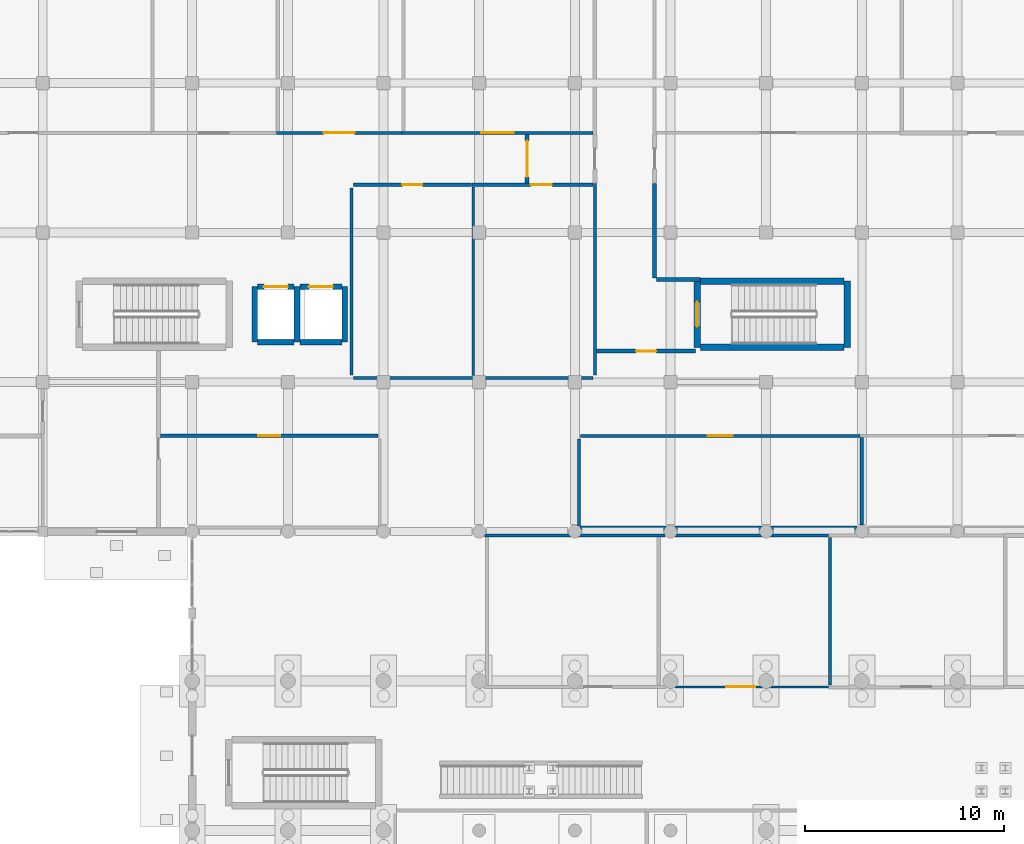
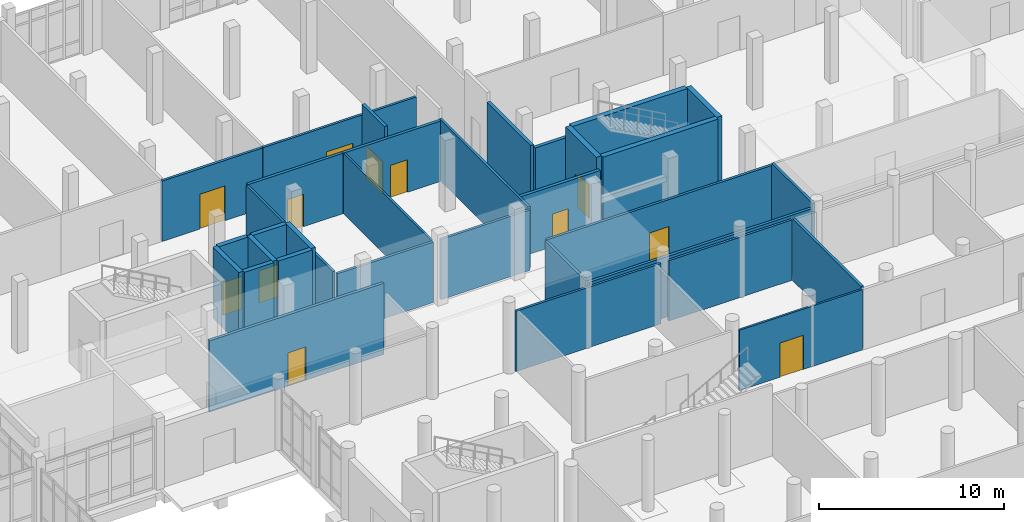
# One storey, part 155 of 173: 33 walls, 12 doors, 12 openings.
"""IFC4 building model written with IfcOpenShell, lengths in metres."""

from ifc_helpers import new_model, si_unit, direction, frame, frame_2d, origin, place, context, subcontext, project, spatial, rectangle, extrude, material, layer, layer_set, type_object, element, fill, save


model = new_model("IFC4")

# Units and contexts
model_context = context("Model", 3, precision=1e-05, world=origin(), true_north=direction((0.0, 1.0)))
body_context = subcontext(model_context, "Body", "Model", "MODEL_VIEW")
ifc_project = project(units=[si_unit("LENGTHUNIT", "METRE"), si_unit("AREAUNIT", "SQUARE_METRE"), si_unit("VOLUMEUNIT", "CUBIC_METRE"), si_unit("PLANEANGLEUNIT", "RADIAN"), si_unit("MASSUNIT", "GRAM", prefix="KILO")], contexts=[model_context])

# Site, building, storey
site_placement = place(None, origin())
site = spatial("IfcSite", under=ifc_project, at=site_placement, CompositionType="ELEMENT")
building_placement = place(site_placement, origin())
building = spatial("IfcBuilding", under=site, at=building_placement, Name="Mawjan Specialist Oncology Clinic", CompositionType="ELEMENT")
storey_placement = place(building_placement, origin())
storey = spatial("IfcBuildingStorey", under=building, at=storey_placement, Name="L00", CompositionType="ELEMENT", Elevation=0.0)

# Walls
ifc_material_1 = material(Name="Concrete C45/55", Category="concrete")
ifc_layer_1 = layer(ifc_material_1, 0.280029296875, Name="Concrete C45/55", Category="concrete")
ifc_layer_set_1 = layer_set([ifc_layer_1], Name="Concrete C45/55")
wall_type_1 = type_object("IfcWallType", Name="SW-300", PredefinedType="SHEAR", material=ifc_layer_set_1)
wall_1_placement = place(storey_placement, frame((63.2861328125, 85.306640625, 0.0), z_axis=(0.0, 0.0, 1.0), x_axis=(1.0, 0.0, 0.0)))
element("IfcWall", 1, at=wall_1_placement, inside=storey, type_object=wall_type_1, Name="L00 LF-05 Hoistway Wall 1", PredefinedType="SHEAR", context=body_context, shape_type="SweptSolid", body=[
    extrude(rectangle(XDim=1.827880859375, YDim=0.280029296875, at=frame_2d((0.9140625, 0.0))), origin(), (0.0, 0.0, 1.0), 4.699951171875),
])
wall_2_placement = place(storey_placement, frame((65.259033203125, 85.306640625, 0.0), z_axis=(0.0, 0.0, 1.0), x_axis=(0.0, 1.0, 0.0)))
element("IfcWall", 2, at=wall_2_placement, inside=storey, type_object=wall_type_1, Name="L00 LF-05 Hoistway Wall 2", PredefinedType="SHEAR", context=body_context, shape_type="SweptSolid", body=[
    extrude(rectangle(XDim=2.78662109375, YDim=0.280029296875, at=frame_2d((1.393310546875, 0.0))), origin(), (0.0, 0.0, 1.0), 4.699951171875),
])

# Wall, opening, door
wall_3_placement = place(storey_placement, frame((65.114013671875, 88.09326171875, 0.0), z_axis=(0.0, 0.0, 1.0), x_axis=(-1.0, 0.0, 0.0)))
wall_3 = element("IfcWall", 3, at=wall_3_placement, inside=storey, type_object=wall_type_1, Name="L00 LF-05 Hoistway Wall 3", PredefinedType="SHEAR", context=body_context, shape_type="SweptSolid", body=[
    extrude(rectangle(XDim=1.827880859375, YDim=0.280029296875, at=frame_2d((0.9140625, 0.0))), origin(), (0.0, 0.0, 1.0), 4.699951171875),
])
opening_1_placement = place(wall_3_placement, frame((0.31396484375, 0.0, 0.0)))
opening_1 = element("IfcOpeningElement", 4, at=opening_1_placement, cuts=wall_3, Name="Opening LD-05-L00", PredefinedType="OPENING", context=body_context, shape_type="SweptSolid", body=[
    extrude(rectangle(XDim=1.199951171875, YDim=2.14990234375, at=frame_2d((0.60009765625, 1.074951171875))), frame((0.0, 0.152099609375, 0.0), z_axis=(0.0, -1.0, 0.0), x_axis=(1.0, 0.0, 0.0)), (0.0, 0.0, 1.0), 0.303955078125),
])
ifc_material_2 = material(Name="Stainless-steel fire-rated hospital door", Category="steel")
door_type_1 = type_object("IfcDoorType", Name="LD-120", OperationType="SLIDING_TO_LEFT", PredefinedType="DOOR", material=ifc_material_2)
door_1_placement = place(opening_1_placement, origin())
door_1 = element("IfcDoor", 5, at=door_1_placement, inside=storey, type_object=door_type_1, Name="L00 LF-05 Sliding Lift Landing Door", OperationType="SLIDING_TO_LEFT", OverallHeight=2.14990234375, OverallWidth=1.199951171875, PredefinedType="DOOR", context=body_context, shape_type="SweptSolid", body=[
    extrude(rectangle(XDim=1.199951171875, YDim=2.14990234375, at=frame_2d((0.60009765625, 1.074951171875))), frame((0.0, 0.02490234375, 0.0), z_axis=(0.0, -1.0, 0.0), x_axis=(1.0, 0.0, 0.0)), (0.0, 0.0, 1.0), 0.050048828125),
])
fill(opening_1, door_1)

# Walls
wall_4_placement = place(storey_placement, frame((63.14111328125, 88.09326171875, 0.0), z_axis=(0.0, 0.0, 1.0), x_axis=(0.0, -1.0, 0.0)))
element("IfcWall", 6, at=wall_4_placement, inside=storey, type_object=wall_type_1, Name="L00 LF-05 Hoistway Wall 4", PredefinedType="SHEAR", context=body_context, shape_type="SweptSolid", body=[
    extrude(rectangle(XDim=2.78662109375, YDim=0.280029296875, at=frame_2d((1.393310546875, 0.0))), origin(), (0.0, 0.0, 1.0), 4.699951171875),
])
wall_5_placement = place(storey_placement, frame((65.40380859375, 85.306640625, 0.0), z_axis=(0.0, 0.0, 1.0), x_axis=(1.0, 0.0, 0.0)))
element("IfcWall", 7, at=wall_5_placement, inside=storey, type_object=wall_type_1, Name="L00 LF-06 Hoistway Wall 1", PredefinedType="SHEAR", context=body_context, shape_type="SweptSolid", body=[
    extrude(rectangle(XDim=2.110107421875, YDim=0.280029296875, at=frame_2d((1.05517578125, 0.0))), origin(), (0.0, 0.0, 1.0), 4.699951171875),
])
wall_6_placement = place(storey_placement, frame((67.658935546875, 85.306640625, 0.0), z_axis=(0.0, 0.0, 1.0), x_axis=(0.0, 1.0, 0.0)))
element("IfcWall", 8, at=wall_6_placement, inside=storey, type_object=wall_type_1, Name="L00 LF-06 Hoistway Wall 2", PredefinedType="SHEAR", context=body_context, shape_type="SweptSolid", body=[
    extrude(rectangle(XDim=2.78662109375, YDim=0.280029296875, at=frame_2d((1.393310546875, 0.0))), origin(), (0.0, 0.0, 1.0), 4.699951171875),
])

# Wall, opening, door
wall_7_placement = place(storey_placement, frame((67.513916015625, 88.09326171875, 0.0), z_axis=(0.0, 0.0, 1.0), x_axis=(-1.0, 0.0, 0.0)))
wall_7 = element("IfcWall", 9, at=wall_7_placement, inside=storey, type_object=wall_type_1, Name="L00 LF-06 Hoistway Wall 3", PredefinedType="SHEAR", context=body_context, shape_type="SweptSolid", body=[
    extrude(rectangle(XDim=2.110107421875, YDim=0.280029296875, at=frame_2d((1.05517578125, 0.0))), origin(), (0.0, 0.0, 1.0), 4.699951171875),
])
opening_2_placement = place(wall_7_placement, frame((0.455078125, 0.0, 0.0)))
opening_2 = element("IfcOpeningElement", 10, at=opening_2_placement, cuts=wall_7, Name="Opening LD-06-L00", PredefinedType="OPENING", context=body_context, shape_type="SweptSolid", body=[
    extrude(rectangle(XDim=1.199951171875, YDim=2.14990234375, at=frame_2d((0.60009765625, 1.074951171875))), frame((0.0, 0.152099609375, 0.0), z_axis=(0.0, -1.0, 0.0), x_axis=(1.0, 0.0, 0.0)), (0.0, 0.0, 1.0), 0.303955078125),
])
door_2_placement = place(opening_2_placement, origin())
door_2 = element("IfcDoor", 11, at=door_2_placement, inside=storey, type_object=door_type_1, Name="L00 LF-06 Sliding Lift Landing Door", OperationType="SLIDING_TO_RIGHT", OverallHeight=2.14990234375, OverallWidth=1.199951171875, PredefinedType="DOOR", context=body_context, shape_type="SweptSolid", body=[
    extrude(rectangle(XDim=1.199951171875, YDim=2.14990234375, at=frame_2d((0.60009765625, 1.074951171875))), frame((0.0, 0.02490234375, 0.0), z_axis=(0.0, -1.0, 0.0), x_axis=(1.0, 0.0, 0.0)), (0.0, 0.0, 1.0), 0.050048828125),
])
fill(opening_2, door_2)

# Walls
ifc_material_3 = material(Name="Concrete C45/55", Category="concrete")
ifc_layer_2 = layer(ifc_material_3, 0.320068359375, Name="Concrete C45/55", Category="concrete")
ifc_layer_set_2 = layer_set([ifc_layer_2], Name="Concrete C45/55")
wall_type_2 = type_object("IfcWallType", Name="SW-350", PredefinedType="SHEAR", material=ifc_layer_set_2)
wall_8_placement = place(storey_placement, frame((85.5048828125, 85.0400390625, 0.0), z_axis=(0.0, 0.0, 1.0), x_axis=(1.0, 0.0, 0.0)))
element("IfcWall", 12, at=wall_8_placement, inside=storey, type_object=wall_type_2, Name="L00 Core K4 Stair Shear Wall 1", PredefinedType="SHEAR", context=body_context, shape_type="SweptSolid", body=[
    extrude(rectangle(XDim=7.190185546875, YDim=0.320068359375, at=frame_2d((3.59521484375, 0.0))), origin(), (0.0, 0.0, 1.0), 4.699951171875),
])
wall_9_placement = place(storey_placement, frame((92.860107421875, 85.0400390625, 0.0), z_axis=(0.0, 0.0, 1.0), x_axis=(0.0, 1.0, 0.0)))
element("IfcWall", 13, at=wall_9_placement, inside=storey, type_object=wall_type_2, Name="L00 Core K4 Stair Shear Wall 2", PredefinedType="SHEAR", context=body_context, shape_type="SweptSolid", body=[
    extrude(rectangle(XDim=3.320068359375, YDim=0.320068359375, at=frame_2d((1.66015625, 0.0))), origin(), (0.0, 0.0, 1.0), 4.699951171875),
])
wall_10_placement = place(storey_placement, frame((92.695068359375, 88.360107421875, 0.0), z_axis=(0.0, 0.0, 1.0), x_axis=(-1.0, 0.0, 0.0)))
element("IfcWall", 14, at=wall_10_placement, inside=storey, type_object=wall_type_2, Name="L00 Core K4 Stair Shear Wall 3", PredefinedType="SHEAR", context=body_context, shape_type="SweptSolid", body=[
    extrude(rectangle(XDim=7.190185546875, YDim=0.320068359375, at=frame_2d((3.59521484375, 0.0))), origin(), (0.0, 0.0, 1.0), 4.699951171875),
])

# Wall, opening, door
wall_11_placement = place(storey_placement, frame((85.340087890625, 88.360107421875, 0.0), z_axis=(0.0, 0.0, 1.0), x_axis=(0.0, -1.0, 0.0)))
wall_11 = element("IfcWall", 15, at=wall_11_placement, inside=storey, type_object=wall_type_2, Name="L00 Core K4 Stair Shear Wall 4", PredefinedType="SHEAR", context=body_context, shape_type="SweptSolid", body=[
    extrude(rectangle(XDim=3.320068359375, YDim=0.320068359375, at=frame_2d((1.66015625, 0.0))), origin(), (0.0, 0.0, 1.0), 4.699951171875),
])
opening_3_placement = place(wall_11_placement, frame((1.034912109375, 0.0, 0.0)))
opening_3 = element("IfcOpeningElement", 16, at=opening_3_placement, cuts=wall_11, Name="Opening FD-90W", PredefinedType="OPENING", context=body_context, shape_type="SweptSolid", body=[
    extrude(rectangle(XDim=1.25, YDim=2.199951171875, at=frame_2d((0.625, 1.10009765625))), frame((0.0, 0.172119140625, 0.0), z_axis=(0.0, -1.0, 0.0), x_axis=(1.0, 0.0, 0.0)), (0.0, 0.0, 1.0), 0.343994140625),
])
ifc_material_4 = material(Name="Stainless-steel fire-rated hospital door", Category="steel")
door_type_2 = type_object("IfcDoorType", Name="FD-90W", OperationType="NOTDEFINED", PredefinedType="DOOR", material=ifc_material_4)
door_3_placement = place(opening_3_placement, origin())
door_3 = element("IfcDoor", 17, at=door_3_placement, inside=storey, type_object=door_type_2, Name="L00 ST-04 Fire Exit Stair Door", OperationType="SINGLE_SWING_LEFT", OverallHeight=2.199951171875, OverallWidth=1.25, PredefinedType="DOOR", context=body_context, shape_type="SweptSolid", body=[
    extrude(rectangle(XDim=1.25, YDim=2.199951171875, at=frame_2d((0.625, 1.10009765625))), frame((0.0, 0.02490234375, 0.0), z_axis=(0.0, -1.0, 0.0), x_axis=(1.0, 0.0, 0.0)), (0.0, 0.0, 1.0), 0.050048828125),
])
fill(opening_3, door_3)

ifc_material_5 = material(Name="Moisture-resistant washroom partition", Category="gypsum")
ifc_layer_3 = layer(ifc_material_5, 0.125, Name="Moisture-resistant washroom partition", Category="gypsum")
ifc_layer_set_3 = layer_set([ifc_layer_3], Name="Moisture-resistant washroom partition")
wall_type_3 = type_object("IfcWallType", Name="WP-125", PredefinedType="PARTITIONING", material=ifc_layer_set_3)
wall_12_placement = place(storey_placement, frame((84.236572265625, 68.0, 0.0), z_axis=(0.0, 0.0, 1.0), x_axis=(1.0, 0.0, 0.0)))
wall_12 = element("IfcWall", 18, at=wall_12_placement, inside=storey, type_object=wall_type_3, Name="L00 Interior Partition W-INT-L00-H02-C", PredefinedType="PARTITIONING", context=body_context, shape_type="SweptSolid", body=[
    extrude(rectangle(XDim=7.678466796875, YDim=0.125, at=frame_2d((3.83935546875, 0.0))), origin(), (0.0, 0.0, 1.0), 3.985107421875),
])
opening_4_placement = place(wall_12_placement, frame((2.5537109375, 0.0, 0.0)))
opening_4 = element("IfcOpeningElement", 19, at=opening_4_placement, cuts=wall_12, Name="Opening DC-145", PredefinedType="OPENING", context=body_context, shape_type="SweptSolid", body=[
    extrude(rectangle(XDim=1.449951171875, YDim=2.260009765625, at=frame_2d((0.72509765625, 1.1298828125))), frame((0.0, 0.074462890625, 0.0), z_axis=(0.0, -1.0, 0.0), x_axis=(1.0, 0.0, 0.0)), (0.0, 0.0, 1.0), 0.14892578125),
])
ifc_material_6 = material(Name="Acoustic laminate hospital door leaf", Category="wood")
door_type_3 = type_object("IfcDoorType", Name="DC-145", OperationType="NOTDEFINED", PredefinedType="DOOR", material=ifc_material_6)
door_4_placement = place(opening_4_placement, origin())
door_4 = element("IfcDoor", 20, at=door_4_placement, inside=storey, type_object=door_type_3, Name="L00 Private Chemotherapy Infusion Suite Door", OperationType="SINGLE_SWING_RIGHT", OverallHeight=2.260009765625, OverallWidth=1.449951171875, PredefinedType="DOOR", context=body_context, shape_type="SweptSolid", body=[
    extrude(rectangle(XDim=1.449951171875, YDim=2.260009765625, at=frame_2d((0.72509765625, 1.1298828125))), frame((0.0, 0.02490234375, 0.0), z_axis=(0.0, -1.0, 0.0), x_axis=(1.0, 0.0, 0.0)), (0.0, 0.0, 1.0), 0.050048828125),
])
fill(opening_4, door_4)

# Wall
wall_13_placement = place(storey_placement, frame((74.10009765625, 83.636962890625, 0.0), z_axis=(0.0, 0.0, 1.0), x_axis=(0.0, 1.0, 0.0)))
element("IfcWall", 21, at=wall_13_placement, inside=storey, type_object=wall_type_3, Name="L00 Interior Partition W-INT-L00-P06-D", PredefinedType="PARTITIONING", context=body_context, shape_type="SweptSolid", body=[
    extrude(rectangle(XDim=9.4609375, YDim=0.125, at=frame_2d((4.73046875, 0.0))), origin(), (0.0, 0.0, 1.0), 3.985107421875),
])

# Wall, opening, door
ifc_material_7 = material(Name="Acoustic gypsum clinical partition", Category="gypsum")
ifc_layer_4 = layer(ifc_material_7, 0.14990234375, Name="Acoustic gypsum clinical partition", Category="gypsum")
ifc_layer_set_4 = layer_set([ifc_layer_4], Name="Acoustic gypsum clinical partition")
wall_type_4 = type_object("IfcWallType", Name="WP-150", PredefinedType="PARTITIONING", material=ifc_layer_set_4)
wall_14_placement = place(storey_placement, frame((70.527099609375, 95.800048828125, 0.0), z_axis=(0.0, 0.0, 1.0), x_axis=(1.0, 0.0, 0.0)))
wall_14 = element("IfcWall", 22, at=wall_14_placement, inside=storey, type_object=wall_type_4, Name="L00 Interior Partition W-INT-L00-P03-C", PredefinedType="PARTITIONING", context=body_context, shape_type="SweptSolid", body=[
    extrude(rectangle(XDim=9.587890625, YDim=0.14990234375, at=frame_2d((4.7939453125, 0.0))), origin(), (0.0, 0.0, 1.0), 3.985107421875),
])
opening_5_placement = place(wall_14_placement, frame((3.968994140625, 0.0, 0.0)))
opening_5 = element("IfcOpeningElement", 23, at=opening_5_placement, cuts=wall_14, Name="Opening DC-165", PredefinedType="OPENING", context=body_context, shape_type="SweptSolid", body=[
    extrude(rectangle(XDim=1.64990234375, YDim=2.320068359375, at=frame_2d((0.824951171875, 1.16015625))), frame((0.0, 0.0869140625, 0.0), z_axis=(0.0, -1.0, 0.0), x_axis=(1.0, 0.0, 0.0)), (0.0, 0.0, 1.0), 0.173828125),
])
ifc_material_8 = material(Name="Acoustic laminate hospital door leaf", Category="wood")
door_type_4 = type_object("IfcDoorType", Name="DC-165", OperationType="NOTDEFINED", PredefinedType="DOOR", material=ifc_material_8)
door_5_placement = place(opening_5_placement, origin())
door_5 = element("IfcDoor", 24, at=door_5_placement, inside=storey, type_object=door_type_4, Name="L00 Vascular Access Catheter Suite Door", OperationType="SINGLE_SWING_LEFT", OverallHeight=2.320068359375, OverallWidth=1.64990234375, PredefinedType="DOOR", context=body_context, shape_type="SweptSolid", body=[
    extrude(rectangle(XDim=1.64990234375, YDim=2.320068359375, at=frame_2d((0.824951171875, 1.16015625))), frame((0.0, 0.02490234375, 0.0), z_axis=(0.0, -1.0, 0.0), x_axis=(1.0, 0.0, 0.0)), (0.0, 0.0, 1.0), 0.050048828125),
])
fill(opening_5, door_5)

# Walls
wall_15_placement = place(storey_placement, frame((74.66796875, 75.60009765625, 0.0), z_axis=(0.0, 0.0, 1.0), x_axis=(1.0, 0.0, 0.0)))
element("IfcWall", 25, at=wall_15_placement, inside=storey, type_object=wall_type_4, Name="L00 Interior Partition W-INT-L00-H01-R", PredefinedType="PARTITIONING", context=body_context, shape_type="SweptSolid", body=[
    extrude(rectangle(XDim=9.06396484375, YDim=0.14990234375, at=frame_2d((4.531982421875, 0.0))), origin(), (0.0, 0.0, 1.0), 3.985107421875),
])
wall_16_placement = place(storey_placement, frame((84.22412109375, 75.60009765625, 0.0), z_axis=(0.0, 0.0, 1.0), x_axis=(1.0, 0.0, 0.0)))
element("IfcWall", 26, at=wall_16_placement, inside=storey, type_object=wall_type_4, Name="L00 Interior Partition W-INT-L00-H02-R", PredefinedType="PARTITIONING", context=body_context, shape_type="SweptSolid", body=[
    extrude(rectangle(XDim=7.69091796875, YDim=0.14990234375, at=frame_2d((3.845458984375, 0.0))), origin(), (0.0, 0.0, 1.0), 3.985107421875),
])
wall_17_placement = place(storey_placement, frame((74.554931640625, 83.5, 0.0), z_axis=(0.0, 0.0, 1.0), x_axis=(1.0, 0.0, 0.0)))
element("IfcWall", 27, at=wall_17_placement, inside=storey, type_object=wall_type_4, Name="L00 Interior Partition W-INT-L00-P07-R", PredefinedType="PARTITIONING", context=body_context, shape_type="SweptSolid", body=[
    extrude(rectangle(XDim=5.56005859375, YDim=0.14990234375, at=frame_2d((2.780029296875, 0.0))), origin(), (0.0, 0.0, 1.0), 3.985107421875),
])
wall_18_placement = place(storey_placement, frame((68.0, 83.6650390625, 0.0), z_axis=(0.0, 0.0, 1.0), x_axis=(0.0, 1.0, 0.0)))
element("IfcWall", 28, at=wall_18_placement, inside=storey, type_object=wall_type_4, Name="L00 Interior Partition W-INT-L00-P06-D0", PredefinedType="PARTITIONING", context=body_context, shape_type="SweptSolid", body=[
    extrude(rectangle(XDim=9.369873046875, YDim=0.14990234375, at=frame_2d((4.68505859375, 0.0))), origin(), (0.0, 0.0, 1.0), 4.034912109375),
])
wall_19_placement = place(storey_placement, frame((80.199951171875, 83.6650390625, 0.0), z_axis=(0.0, 0.0, 1.0), x_axis=(0.0, 1.0, 0.0)))
element("IfcWall", 29, at=wall_19_placement, inside=storey, type_object=wall_type_4, Name="L00 Interior Partition W-INT-L00-P07-D", PredefinedType="PARTITIONING", context=body_context, shape_type="SweptSolid", body=[
    extrude(rectangle(XDim=9.60791015625, YDim=0.14990234375, at=frame_2d((4.803955078125, 0.0))), origin(), (0.0, 0.0, 1.0), 4.034912109375),
])
wall_20_placement = place(storey_placement, frame((79.39990234375, 76.06787109375, 0.0), z_axis=(0.0, 0.0, 1.0), x_axis=(0.0, 1.0, 0.0)))
element("IfcWall", 30, at=wall_20_placement, inside=storey, type_object=wall_type_4, Name="L00 Interior Partition W-INT-L00-P10A-D0", PredefinedType="PARTITIONING", context=body_context, shape_type="SweptSolid", body=[
    extrude(rectangle(XDim=4.3671875, YDim=0.14990234375, at=frame_2d((2.18359375, 0.0))), origin(), (0.0, 0.0, 1.0), 4.034912109375),
])

# Wall, opening, door
ifc_material_9 = material(Name="Acoustic clinical twin-stud partition", Category="gypsum")
ifc_layer_5 = layer(ifc_material_9, 0.159912109375, Name="Acoustic clinical twin-stud partition", Category="gypsum")
ifc_layer_set_5 = layer_set([ifc_layer_5], Name="Acoustic clinical twin-stud partition")
wall_type_5 = type_object("IfcWallType", Name="WP-160", PredefinedType="PARTITIONING", material=ifc_layer_set_5)
wall_21_placement = place(storey_placement, frame((64.22705078125, 95.800048828125, 0.0), z_axis=(0.0, 0.0, 1.0), x_axis=(1.0, 0.0, 0.0)))
wall_21 = element("IfcWall", 31, at=wall_21_placement, inside=storey, type_object=wall_type_5, Name="L00 Interior Partition W-INT-L00-P02B-C", PredefinedType="PARTITIONING", context=body_context, shape_type="SweptSolid", body=[
    extrude(rectangle(XDim=6.287841796875, YDim=0.159912109375, at=frame_2d((3.14404296875, 0.0))), origin(), (0.0, 0.0, 1.0), 3.985107421875),
])
opening_6_placement = place(wall_21_placement, frame((2.364013671875, 0.0, 0.0)))
opening_6 = element("IfcOpeningElement", 32, at=opening_6_placement, cuts=wall_21, Name="Opening DC-156", PredefinedType="OPENING", context=body_context, shape_type="SweptSolid", body=[
    extrude(rectangle(XDim=1.56005859375, YDim=2.300048828125, at=frame_2d((0.780029296875, 1.14990234375))), frame((0.0, 0.092041015625, 0.0), z_axis=(0.0, -1.0, 0.0), x_axis=(1.0, 0.0, 0.0)), (0.0, 0.0, 1.0), 0.183837890625),
])
ifc_material_10 = material(Name="Acoustic laminate hospital door leaf", Category="wood")
door_type_5 = type_object("IfcDoorType", Name="DC-156", OperationType="NOTDEFINED", PredefinedType="DOOR", material=ifc_material_10)
door_6_placement = place(opening_6_placement, origin())
door_6 = element("IfcDoor", 33, at=door_6_placement, inside=storey, type_object=door_type_5, Name="L00 Oncology Interventional Procedure Room Door", OperationType="SINGLE_SWING_RIGHT", OverallHeight=2.300048828125, OverallWidth=1.56005859375, PredefinedType="DOOR", context=body_context, shape_type="SweptSolid", body=[
    extrude(rectangle(XDim=1.56005859375, YDim=2.300048828125, at=frame_2d((0.780029296875, 1.14990234375))), frame((0.0, 0.02490234375, 0.0), z_axis=(0.0, -1.0, 0.0), x_axis=(1.0, 0.0, 0.0)), (0.0, 0.0, 1.0), 0.050048828125),
])
fill(opening_6, door_6)

wall_22_placement = place(storey_placement, frame((79.485107421875, 80.60009765625, 0.0), z_axis=(0.0, 0.0, 1.0), x_axis=(1.0, 0.0, 0.0)))
wall_22 = element("IfcWall", 34, at=wall_22_placement, inside=storey, type_object=wall_type_5, Name="L00 Interior Partition W-INT-L00-P10A-C", PredefinedType="PARTITIONING", context=body_context, shape_type="SweptSolid", body=[
    extrude(rectangle(XDim=14.02978515625, YDim=0.159912109375, at=frame_2d((7.014892578125, 0.0))), origin(), (0.0, 0.0, 1.0), 3.985107421875),
])
opening_7_placement = place(wall_22_placement, frame((6.39501953125, 0.0, 0.0)))
opening_7 = element("IfcOpeningElement", 35, at=opening_7_placement, cuts=wall_22, Name="Opening DC-124", PredefinedType="OPENING", context=body_context, shape_type="SweptSolid", body=[
    extrude(rectangle(XDim=1.239990234375, YDim=2.199951171875, at=frame_2d((0.6201171875, 1.10009765625))), frame((0.0, 0.092041015625, 0.0), z_axis=(0.0, -1.0, 0.0), x_axis=(1.0, 0.0, 0.0)), (0.0, 0.0, 1.0), 0.183837890625),
])
ifc_material_11 = material(Name="Acoustic laminate hospital door leaf", Category="wood")
door_type_6 = type_object("IfcDoorType", Name="DC-124", OperationType="NOTDEFINED", PredefinedType="DOOR", material=ifc_material_11)
door_7_placement = place(opening_7_placement, origin())
door_7 = element("IfcDoor", 36, at=door_7_placement, inside=storey, type_object=door_type_6, Name="L00 Pre-Anesthesia Testing Clinic Door", OperationType="SINGLE_SWING_LEFT", OverallHeight=2.199951171875, OverallWidth=1.239990234375, PredefinedType="DOOR", context=body_context, shape_type="SweptSolid", body=[
    extrude(rectangle(XDim=1.239990234375, YDim=2.199951171875, at=frame_2d((0.6201171875, 1.10009765625))), frame((0.0, 0.02490234375, 0.0), z_axis=(0.0, -1.0, 0.0), x_axis=(1.0, 0.0, 0.0)), (0.0, 0.0, 1.0), 0.050048828125),
])
fill(opening_7, door_7)

# Walls
wall_23_placement = place(storey_placement, frame((68.0849609375, 83.5, 0.0), z_axis=(0.0, 0.0, 1.0), x_axis=(1.0, 0.0, 0.0)))
element("IfcWall", 37, at=wall_23_placement, inside=storey, type_object=wall_type_5, Name="L00 Interior Partition W-INT-L00-P06-R", PredefinedType="PARTITIONING", context=body_context, shape_type="SweptSolid", body=[
    extrude(rectangle(XDim=5.97802734375, YDim=0.159912109375, at=frame_2d((2.989013671875, 0.0))), origin(), (0.0, 0.0, 1.0), 3.985107421875),
])
wall_24_placement = place(storey_placement, frame((92.0, 68.10205078125, 0.0), z_axis=(0.0, 0.0, 1.0), x_axis=(0.0, 1.0, 0.0)))
element("IfcWall", 38, at=wall_24_placement, inside=storey, type_object=wall_type_5, Name="L00 Interior Partition W-INT-L00-H02-D", PredefinedType="PARTITIONING", context=body_context, shape_type="SweptSolid", body=[
    extrude(rectangle(XDim=7.410888671875, YDim=0.159912109375, at=frame_2d((3.70556640625, 0.0))), origin(), (0.0, 0.0, 1.0), 4.0849609375),
])
wall_25_placement = place(storey_placement, frame((93.60009765625, 76.136962890625, 0.0), z_axis=(0.0, 0.0, 1.0), x_axis=(0.0, 1.0, 0.0)))
element("IfcWall", 39, at=wall_25_placement, inside=storey, type_object=wall_type_5, Name="L00 Interior Partition W-INT-L00-P10A-D", PredefinedType="PARTITIONING", context=body_context, shape_type="SweptSolid", body=[
    extrude(rectangle(XDim=4.388427734375, YDim=0.159912109375, at=frame_2d((2.1943359375, 0.0))), origin(), (0.0, 0.0, 1.0), 4.135009765625),
])

# Wall, opening, door
ifc_material_12 = material(Name="Lead-lined radiation-shielded clinical partition", Category="gypsum")
ifc_layer_6 = layer(ifc_material_12, 0.179931640625, Name="Lead-lined radiation-shielded clinical partition", Category="gypsum")
ifc_layer_set_6 = layer_set([ifc_layer_6], Name="Lead-lined radiation-shielded clinical partition")
wall_type_6 = type_object("IfcWallType", Name="WP-180", PredefinedType="PARTITIONING", material=ifc_layer_set_6)
wall_26_placement = place(storey_placement, frame((68.0849609375, 93.199951171875, 0.0), z_axis=(0.0, 0.0, 1.0), x_axis=(1.0, 0.0, 0.0)))
wall_26 = element("IfcWall", 40, at=wall_26_placement, inside=storey, type_object=wall_type_6, Name="L00 Interior Partition W-INT-L00-P06-C", PredefinedType="PARTITIONING", context=body_context, shape_type="SweptSolid", body=[
    extrude(rectangle(XDim=5.929931640625, YDim=0.179931640625, at=frame_2d((2.96484375, 0.0))), origin(), (0.0, 0.0, 1.0), 3.985107421875),
])
opening_8_placement = place(wall_26_placement, frame((2.465087890625, 0.0, 0.0)))
opening_8 = element("IfcOpeningElement", 41, at=opening_8_placement, cuts=wall_26, Name="Opening DI-100", PredefinedType="OPENING", context=body_context, shape_type="SweptSolid", body=[
    extrude(rectangle(XDim=1.0, YDim=2.14990234375, at=frame_2d((0.5, 1.074951171875))), frame((0.0, 0.10205078125, 0.0), z_axis=(0.0, -1.0, 0.0), x_axis=(1.0, 0.0, 0.0)), (0.0, 0.0, 1.0), 0.203857421875),
])
ifc_material_13 = material(Name="Acoustic laminate hospital door leaf", Category="wood")
door_type_7 = type_object("IfcDoorType", Name="DI-100", OperationType="NOTDEFINED", PredefinedType="DOOR", material=ifc_material_13)
door_8_placement = place(opening_8_placement, origin())
door_8 = element("IfcDoor", 42, at=door_8_placement, inside=storey, type_object=door_type_7, Name="L00 Clean Instrument Holding Room Door", OperationType="SINGLE_SWING_LEFT", OverallHeight=2.14990234375, OverallWidth=1.0, PredefinedType="DOOR", context=body_context, shape_type="SweptSolid", body=[
    extrude(rectangle(XDim=1.0, YDim=2.14990234375, at=frame_2d((0.5, 1.074951171875))), frame((0.0, 0.02490234375, 0.0), z_axis=(0.0, -1.0, 0.0), x_axis=(1.0, 0.0, 0.0)), (0.0, 0.0, 1.0), 0.050048828125),
])
fill(opening_8, door_8)

wall_27_placement = place(storey_placement, frame((74.027099609375, 93.199951171875, 0.0), z_axis=(0.0, 0.0, 1.0), x_axis=(1.0, 0.0, 0.0)))
wall_27 = element("IfcWall", 43, at=wall_27_placement, inside=storey, type_object=wall_type_6, Name="L00 Interior Partition W-INT-L00-P07-C", PredefinedType="PARTITIONING", context=body_context, shape_type="SweptSolid", body=[
    extrude(rectangle(XDim=6.087890625, YDim=0.179931640625, at=frame_2d((3.0439453125, 0.0))), origin(), (0.0, 0.0, 1.0), 3.985107421875),
])
opening_9_placement = place(wall_27_placement, frame((2.972412109375, 0.0, 0.0)))
opening_9 = element("IfcOpeningElement", 44, at=opening_9_placement, cuts=wall_27, Name="Opening DI-105", PredefinedType="OPENING", context=body_context, shape_type="SweptSolid", body=[
    extrude(rectangle(XDim=1.050048828125, YDim=2.14990234375, at=frame_2d((0.52490234375, 1.074951171875))), frame((0.0, 0.10205078125, 0.0), z_axis=(0.0, -1.0, 0.0), x_axis=(1.0, 0.0, 0.0)), (0.0, 0.0, 1.0), 0.203857421875),
])
ifc_material_14 = material(Name="Acoustic laminate hospital door leaf", Category="wood")
door_type_8 = type_object("IfcDoorType", Name="DI-105", OperationType="NOTDEFINED", PredefinedType="DOOR", material=ifc_material_14)
door_9_placement = place(opening_9_placement, origin())
door_9 = element("IfcDoor", 45, at=door_9_placement, inside=storey, type_object=door_type_8, Name="L00 Anesthesia Consultation Room Door", OperationType="SINGLE_SWING_RIGHT", OverallHeight=2.14990234375, OverallWidth=1.050048828125, PredefinedType="DOOR", context=body_context, shape_type="SweptSolid", body=[
    extrude(rectangle(XDim=1.050048828125, YDim=2.14990234375, at=frame_2d((0.52490234375, 1.074951171875))), frame((0.0, 0.02490234375, 0.0), z_axis=(0.0, -1.0, 0.0), x_axis=(1.0, 0.0, 0.0)), (0.0, 0.0, 1.0), 0.050048828125),
])
fill(opening_9, door_9)

wall_28_placement = place(storey_placement, frame((58.412109375, 80.60009765625, 0.0), z_axis=(0.0, 0.0, 1.0), x_axis=(1.0, 0.0, 0.0)))
wall_28 = element("IfcWall", 46, at=wall_28_placement, inside=storey, type_object=wall_type_6, Name="L00 Interior Partition W-INT-L00-P09-C", PredefinedType="PARTITIONING", context=body_context, shape_type="SweptSolid", body=[
    extrude(rectangle(XDim=10.90283203125, YDim=0.179931640625, at=frame_2d((5.451416015625, 0.0))), origin(), (0.0, 0.0, 1.0), 4.699951171875),
])
opening_10_placement = place(wall_28_placement, frame((4.8916015625, 0.0, 0.0)))
opening_10 = element("IfcOpeningElement", 47, at=opening_10_placement, cuts=wall_28, Name="Opening DI-112", PredefinedType="OPENING", context=body_context, shape_type="SweptSolid", body=[
    extrude(rectangle(XDim=1.1201171875, YDim=2.199951171875, at=frame_2d((0.56005859375, 1.10009765625))), frame((0.0, 0.10205078125, 0.0), z_axis=(0.0, -1.0, 0.0), x_axis=(1.0, 0.0, 0.0)), (0.0, 0.0, 1.0), 0.203857421875),
])
ifc_material_15 = material(Name="Acoustic laminate hospital door leaf", Category="wood")
door_type_9 = type_object("IfcDoorType", Name="DI-112", OperationType="NOTDEFINED", PredefinedType="DOOR", material=ifc_material_15)
door_10_placement = place(opening_10_placement, origin())
door_10 = element("IfcDoor", 48, at=door_10_placement, inside=storey, type_object=door_type_9, Name="L00 Patient Medication Counseling Room Door", OperationType="SINGLE_SWING_LEFT", OverallHeight=2.199951171875, OverallWidth=1.1201171875, PredefinedType="DOOR", context=body_context, shape_type="SweptSolid", body=[
    extrude(rectangle(XDim=1.1201171875, YDim=2.199951171875, at=frame_2d((0.56005859375, 1.10009765625))), frame((0.0, 0.02490234375, 0.0), z_axis=(0.0, -1.0, 0.0), x_axis=(1.0, 0.0, 0.0)), (0.0, 0.0, 1.0), 0.050048828125),
])
fill(opening_10, door_10)

# Wall
wall_29_placement = place(storey_placement, frame((79.468017578125, 76.0, 0.0), z_axis=(0.0, 0.0, 1.0), x_axis=(1.0, 0.0, 0.0)))
element("IfcWall", 49, at=wall_29_placement, inside=storey, type_object=wall_type_6, Name="L00 Interior Partition W-INT-L00-P10A-R", PredefinedType="PARTITIONING", context=body_context, shape_type="SweptSolid", body=[
    extrude(rectangle(XDim=13.8798828125, YDim=0.179931640625, at=frame_2d((6.93994140625, 0.0))), origin(), (0.0, 0.0, 1.0), 3.985107421875),
])

# Wall, opening, door
ifc_material_16 = material(Name="Insulated fire-rated gypsum stud partition", Category="gypsum")
ifc_layer_7 = layer(ifc_material_16, 0.199951171875, Name="Insulated fire-rated gypsum stud partition", Category="gypsum")
ifc_layer_set_7 = layer_set([ifc_layer_7], Name="Insulated fire-rated gypsum stud partition")
wall_type_7 = type_object("IfcWallType", Name="WS-60", PredefinedType="PARTITIONING", material=ifc_layer_set_7)
wall_30_placement = place(storey_placement, frame((76.800048828125, 93.284912109375, 0.0), z_axis=(0.0, 0.0, 1.0), x_axis=(0.0, 1.0, 0.0)))
wall_30 = element("IfcWall", 50, at=wall_30_placement, inside=storey, type_object=wall_type_7, Name="L00 Interior Partition W-SMK-L00-V5", PredefinedType="PARTITIONING", context=body_context, shape_type="SweptSolid", body=[
    extrude(rectangle(XDim=2.43017578125, YDim=0.199951171875, at=frame_2d((1.215087890625, 0.0))), origin(), (0.0, 0.0, 1.0), 4.699951171875),
])
opening_11_placement = place(wall_30_placement, frame((0.31494140625, 0.0, 0.0)))
opening_11 = element("IfcOpeningElement", 51, at=opening_11_placement, cuts=wall_30, Name="Opening DS-180", PredefinedType="OPENING", context=body_context, shape_type="SweptSolid", body=[
    extrude(rectangle(XDim=1.800048828125, YDim=2.14990234375, at=frame_2d((0.89990234375, 1.074951171875))), frame((0.0, 0.112060546875, 0.0), z_axis=(0.0, -1.0, 0.0), x_axis=(1.0, 0.0, 0.0)), (0.0, 0.0, 1.0), 0.223876953125),
])
ifc_material_17 = material(Name="Stainless-steel fire-rated hospital door", Category="steel")
door_type_10 = type_object("IfcDoorType", Name="DS-180", OperationType="DOUBLE_DOOR_SINGLE_SWING", PredefinedType="DOOR", material=ifc_material_17)
door_11_placement = place(opening_11_placement, origin())
door_11 = element("IfcDoor", 52, at=door_11_placement, inside=storey, type_object=door_type_10, Name="L00 Smoke Barrier Cross-Corridor Door", OperationType="DOUBLE_DOOR_SINGLE_SWING", OverallHeight=2.14990234375, OverallWidth=1.800048828125, PredefinedType="DOOR", context=body_context, shape_type="SweptSolid", body=[
    extrude(rectangle(XDim=1.800048828125, YDim=2.14990234375, at=frame_2d((0.89990234375, 1.074951171875))), frame((0.0, 0.02490234375, 0.0), z_axis=(0.0, -1.0, 0.0), x_axis=(1.0, 0.0, 0.0)), (0.0, 0.0, 1.0), 0.050048828125),
])
fill(opening_11, door_11)

wall_31_placement = place(storey_placement, frame((80.284912109375, 84.85009765625, 0.0), z_axis=(0.0, 0.0, 1.0), x_axis=(1.0, 0.0, 0.0)))
wall_31 = element("IfcWall", 53, at=wall_31_placement, inside=storey, type_object=wall_type_7, Name="L00 Interior Partition W-INT-L00-K4V-S", PredefinedType="PARTITIONING", context=body_context, shape_type="SweptSolid", body=[
    extrude(rectangle(XDim=4.97998046875, YDim=0.199951171875, at=frame_2d((2.489990234375, 0.0))), origin(), (0.0, 0.0, 1.0), 3.985107421875),
])
opening_12_placement = place(wall_31_placement, frame((1.989990234375, 0.0, 0.0)))
opening_12 = element("IfcOpeningElement", 54, at=opening_12_placement, cuts=wall_31, Name="Opening DF-100", PredefinedType="OPENING", context=body_context, shape_type="SweptSolid", body=[
    extrude(rectangle(XDim=1.0, YDim=2.14990234375, at=frame_2d((0.5, 1.074951171875))), frame((0.0, 0.112060546875, 0.0), z_axis=(0.0, -1.0, 0.0), x_axis=(1.0, 0.0, 0.0)), (0.0, 0.0, 1.0), 0.223876953125),
])
ifc_material_18 = material(Name="Stainless-steel fire-rated hospital door", Category="steel")
door_type_11 = type_object("IfcDoorType", Name="DF-100", OperationType="NOTDEFINED", PredefinedType="DOOR", material=ifc_material_18)
door_12_placement = place(opening_12_placement, origin())
door_12 = element("IfcDoor", 55, at=door_12_placement, inside=storey, type_object=door_type_11, Name="L00 Stair ST-04 South Concourse Lobby Fire Door", OperationType="SINGLE_SWING_LEFT", OverallHeight=2.14990234375, OverallWidth=1.0, PredefinedType="DOOR", context=body_context, shape_type="SweptSolid", body=[
    extrude(rectangle(XDim=1.0, YDim=2.14990234375, at=frame_2d((0.5, 1.074951171875))), frame((0.0, 0.02490234375, 0.0), z_axis=(0.0, -1.0, 0.0), x_axis=(1.0, 0.0, 0.0)), (0.0, 0.0, 1.0), 0.050048828125),
])
fill(opening_12, door_12)

# Walls
wall_32_placement = place(storey_placement, frame((83.284912109375, 88.449951171875, 0.0), z_axis=(0.0, 0.0, 1.0), x_axis=(1.0, 0.0, 0.0)))
element("IfcWall", 56, at=wall_32_placement, inside=storey, type_object=wall_type_7, Name="L00 Interior Partition W-INT-L00-K4V-NE", PredefinedType="PARTITIONING", context=body_context, shape_type="SweptSolid", body=[
    extrude(rectangle(XDim=2.2080078125, YDim=0.199951171875, at=frame_2d((1.10400390625, 0.0))), origin(), (0.0, 0.0, 1.0), 3.985107421875),
])
wall_33_placement = place(storey_placement, frame((83.199951171875, 88.534912109375, 0.0), z_axis=(0.0, 0.0, 1.0), x_axis=(0.0, 1.0, 0.0)))
element("IfcWall", 57, at=wall_33_placement, inside=storey, type_object=wall_type_7, Name="L00 Interior Partition W-INT-L00-K4V-EM", PredefinedType="PARTITIONING", context=body_context, shape_type="SweptSolid", body=[
    extrude(rectangle(XDim=4.738037109375, YDim=0.199951171875, at=frame_2d((2.369140625, 0.0))), origin(), (0.0, 0.0, 1.0), 4.0849609375),
])

save(model, "model.ifc")
